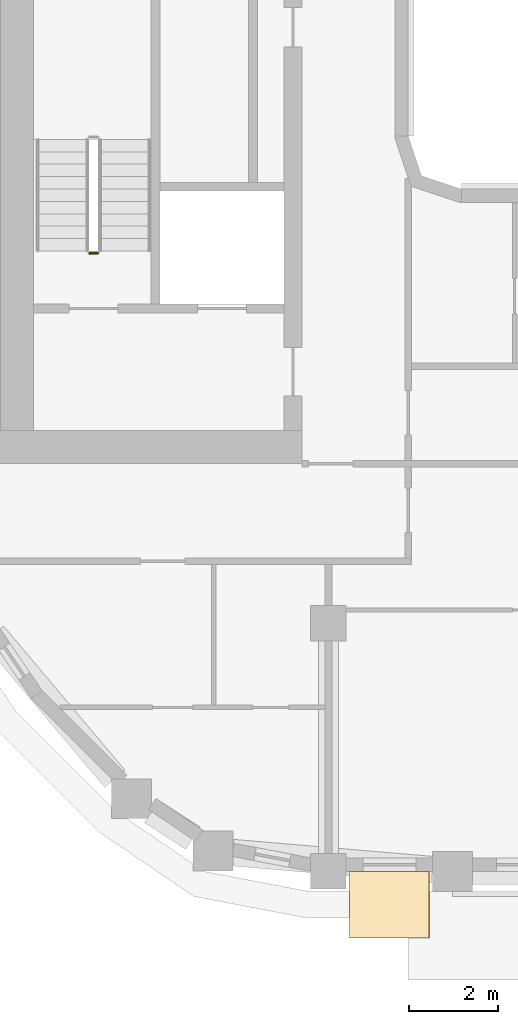
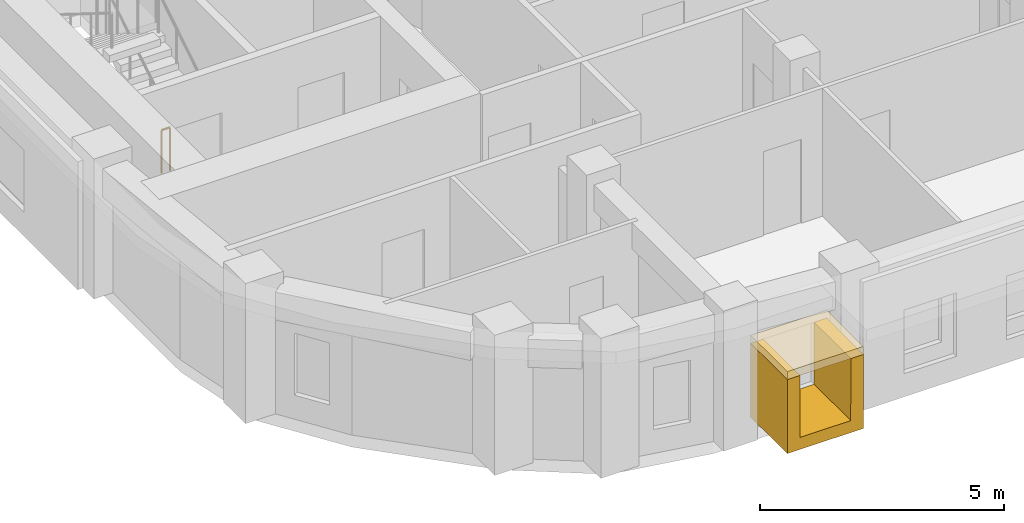
# One storey, part 10 of 21: 2 coverings, 1 railing.
"""IFC4 building model written with IfcOpenShell, lengths in metres."""

from ifc_helpers import new_model, si_unit, direction, frame, origin, origin_2d, place, context, subcontext, project, spatial, polyline, rectangle, circle, outline, extrude, material, layer, layer_set, type_object, element, save


model = new_model("IFC4")

# Units and contexts
model_context = context("Model", 3, precision=1e-05, world=origin(), true_north=direction((0.0, 1.0)))
body_context = subcontext(model_context, "Body", "Model", "MODEL_VIEW")
ifc_project = project(units=[si_unit("LENGTHUNIT", "METRE"), si_unit("AREAUNIT", "SQUARE_METRE"), si_unit("VOLUMEUNIT", "CUBIC_METRE"), si_unit("PLANEANGLEUNIT", "RADIAN"), si_unit("MASSUNIT", "GRAM", prefix="KILO")], contexts=[model_context])

# Site, building, storey
site_placement = place(None, origin())
site = spatial("IfcSite", under=ifc_project, at=site_placement, CompositionType="ELEMENT")
building_placement = place(site_placement, origin())
building = spatial("IfcBuilding", under=site, at=building_placement, Name="Kiln Ring Residences", CompositionType="ELEMENT")
storey_placement = place(building_placement, frame((0.0, 0.0, 202.89990234375)))
storey = spatial("IfcBuildingStorey", under=building, at=storey_placement, Name="L52", CompositionType="ELEMENT", Elevation=202.89990234375)

# Railing
ifc_material_1 = material(Name="Stainless steel", Category="steel")
railing_type = type_object("IfcRailingType", Name="CORE-STAIR-GUARD", PredefinedType="GUARDRAIL", material=ifc_material_1)
railing_placement = place(storey_placement, frame((-22.0, -8.449951171875, 0.0)))
element("IfcRailing", 1, at=railing_placement, inside=storey, type_object=railing_type, Name="L52 W-STS stair guard 4", PredefinedType="GUARDRAIL", context=body_context, shape_type="SweptSolid", body=[
    extrude(circle(Radius=0.02392578125, at=origin_2d()), frame((0.0, 0.0, 1.076171875), z_axis=(-1.0, 0.0, 0.0), x_axis=(0.0, -1.0, 0.0)), (0.0, 0.0, 1.0), 0.199951171875),
    extrude(circle(Radius=0.02099609375, at=origin_2d()), origin(), (0.0, 0.0, 1.0), 1.052001953125),
    extrude(circle(Radius=0.02099609375, at=origin_2d()), frame((-0.199951171875, 0.0, 0.0)), (0.0, 0.0, 1.0), 1.052001953125),
])

# Coverings
ifc_material_2 = material(Name="Brick masonry, dark clay brick", Category="masonry")
ifc_layer_1 = layer(ifc_material_2, 0.300048828125)
ifc_layer_set_1 = layer_set([ifc_layer_1], Name="FRAME CHEEKS AND SILL 1500")
covering_type_1 = type_object("IfcCoveringType", Name="FRAME CHEEKS AND SILL 1500", PredefinedType="CLADDING", material=ifc_layer_set_1)
covering_1_placement = place(storey_placement, frame((-16.324951171875, -23.14990234375, 0.300048828125), z_axis=(0.0, 0.0, 1.0), x_axis=(1.0, 0.0, 0.0)))
element("IfcCovering", 2, at=covering_1_placement, inside=storey, type_object=covering_type_1, Name="FRAME L52", PredefinedType="CLADDING", context=body_context, shape_type="SweptSolid", body=[
    extrude(outline(polyline([(0.0, 0.0), (1.800048828125, 0.0), (1.800048828125, 1.85009765625), (1.5009765625, 1.85009765625), (1.5, 0.300048828125), (0.300048828125, 0.300048828125), (0.299072265625, 1.85009765625), (0.0, 1.85009765625), (0.0, 0.0)])), frame((0.0, 0.75, 0.0), z_axis=(0.0, -1.0, 0.0), x_axis=(1.0, 0.0, 0.0)), (0.0, 0.0, 1.0), 1.5),
])
ifc_material_3 = material(Name="Brick masonry, dark clay brick", Category="masonry")
ifc_layer_2 = layer(ifc_material_3, 0.199951171875)
ifc_layer_set_2 = layer_set([ifc_layer_2], Name="FRAME HEAD 1500")
covering_type_2 = type_object("IfcCoveringType", Name="FRAME HEAD 1500", PredefinedType="CLADDING", material=ifc_layer_set_2)
covering_2_placement = place(storey_placement, frame((-15.425048828125, -23.14990234375, 2.14990234375), z_axis=(0.0, 0.0, 1.0), x_axis=(1.0, 0.0, 0.0)))
element("IfcCovering", 3, at=covering_2_placement, inside=storey, type_object=covering_type_2, Name="FRAME HEAD L52", PredefinedType="CLADDING", context=body_context, shape_type="SweptSolid", body=[
    extrude(rectangle(XDim=1.800048828125, YDim=1.5, at=origin_2d()), origin(), (0.0, 0.0, 1.0), 0.199951171875),
])

save(model, "model.ifc")
